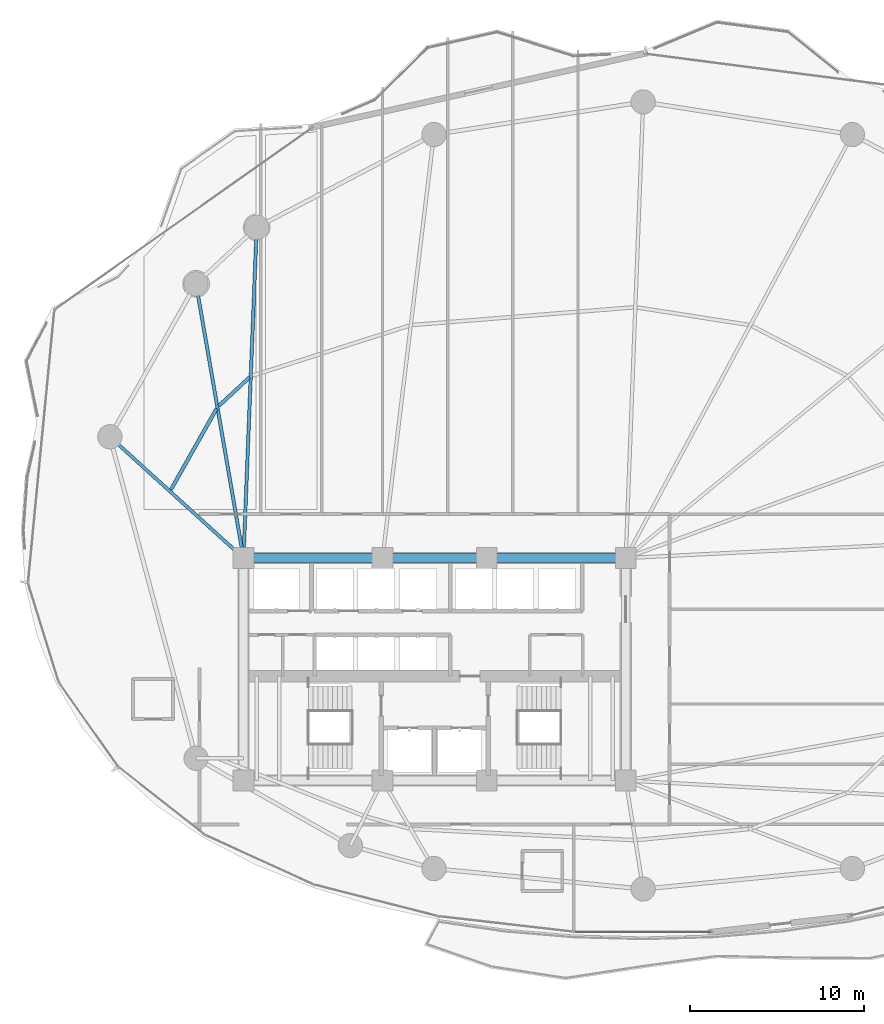
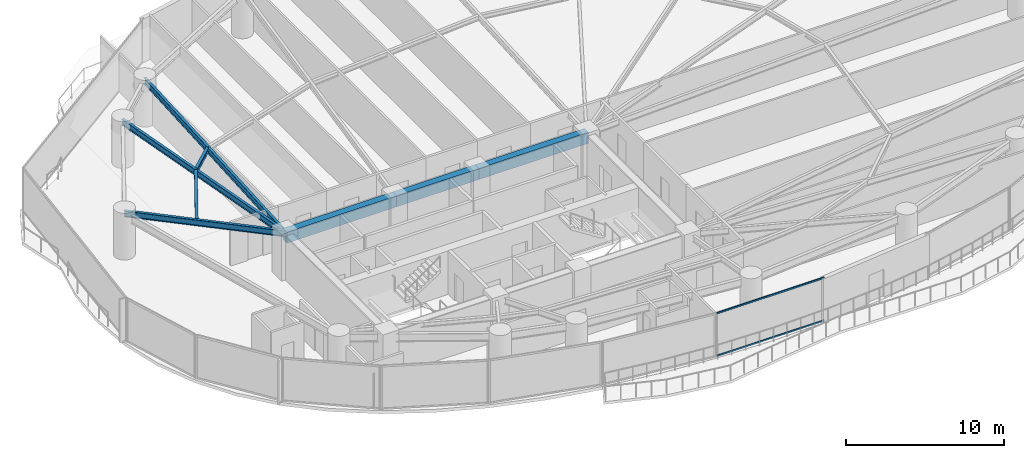
# One storey, part 9 of 31: 8 beams, 2 members, 1 element without a shape of its own.
"""IFC4 building model written with IfcOpenShell, lengths in metres."""

from ifc_helpers import new_model, si_unit, direction, frame, origin, origin_2d, place, context, subcontext, project, spatial, rectangle, hollow_rectangle, i_section, extrude, material, layer, layer_set, material_profile, profile_set, type_object, element, aggregate, save


model = new_model("IFC4")

# Units and contexts
model_context = context("Model", 3, precision=1e-05, world=origin(), true_north=direction((0.0, 1.0)))
body_context = subcontext(model_context, "Body", "Model", "MODEL_VIEW")
ifc_project = project(units=[si_unit("LENGTHUNIT", "METRE"), si_unit("AREAUNIT", "SQUARE_METRE"), si_unit("VOLUMEUNIT", "CUBIC_METRE"), si_unit("PLANEANGLEUNIT", "RADIAN"), si_unit("MASSUNIT", "GRAM", prefix="KILO")], contexts=[model_context])

# Site, building, storey
site_placement = place(None, origin())
site = spatial("IfcSite", under=ifc_project, at=site_placement, CompositionType="ELEMENT")
building_placement = place(site_placement, origin())
building = spatial("IfcBuilding", under=site, at=building_placement, Name="Kazevale Care Tower and Concert Hall", CompositionType="ELEMENT")
storey_placement = place(building_placement, frame((0.0, 0.0, 60.0)))
storey = spatial("IfcBuildingStorey", under=building, at=storey_placement, Name="L15", CompositionType="ELEMENT", Elevation=60.0)

# Curtain wall, members
ifc_material_1 = material(Name="Aluminium 6063-T6 and Low-E Glass", Category="aluminium")
ifc_layer = layer(ifc_material_1, 0.179931640625)
ifc_layer_set = layer_set([ifc_layer], Name="Aluminium 6063-T6 and Low-E Glass")
curtain_wall_type = type_object("IfcCurtainWallType", Name="Sheltered Concave Balcony Curtain Wall CW-5", PredefinedType="NOTDEFINED", material=ifc_layer_set)
curtain_wall_placement = place(storey_placement, origin())
curtain_wall = element("IfcCurtainWall", 1, at=curtain_wall_placement, inside=storey, type_object=curtain_wall_type, Name="cw:L15:f06", PredefinedType="NOTDEFINED")
ifc_material_2 = material(Name="Aluminium 6063-T6", Category="aluminium")
ifc_material_profile_1 = material_profile(ifc_material_2, hollow_rectangle(XDim=0.074951171875, YDim=0.1201171875, WallThickness=0.00390625, at=origin_2d()), Name="ALU75x120x4")
ifc_profile_set_1 = profile_set([ifc_material_profile_1], Name="Aluminium 6063-T6")
member_type = type_object("IfcMemberType", Name="CW-5 Transom ALU75x120x4", PredefinedType="USERDEFINED", material=ifc_profile_set_1)
member_1_placement = place(storey_placement, frame((48.923095703125, 14.889892578125, 0.03759765625), z_axis=(-1.0, 0.0, 0.0), x_axis=(0.0, -1.0, 0.0)))
member_1 = element("IfcMember", 2, at=member_1_placement, type_object=member_type, Name="CW-5 transom 1.1", ObjectType="TRANSOM", PredefinedType="USERDEFINED", context=body_context, shape_type="SweptSolid", body=[
    extrude(hollow_rectangle(XDim=0.074951171875, YDim=0.1201171875, WallThickness=0.00390625, at=origin_2d()), origin(), (0.0, 0.0, 1.0), 7.84619140625),
])
member_2_placement = place(storey_placement, frame((48.923095703125, 14.889892578125, 3.322509765625), z_axis=(-1.0, 0.0, 0.0), x_axis=(0.0, -1.0, 0.0)))
member_2 = element("IfcMember", 3, at=member_2_placement, type_object=member_type, Name="CW-5 transom 1.2", ObjectType="TRANSOM", PredefinedType="USERDEFINED", context=body_context, shape_type="SweptSolid", body=[
    extrude(hollow_rectangle(XDim=0.074951171875, YDim=0.1201171875, WallThickness=0.00390625, at=origin_2d()), origin(), (0.0, 0.0, 1.0), 7.84619140625),
])
aggregate(curtain_wall, [member_1, member_2])

# Beams
ifc_material_3 = material(Name="Concrete C60", Category="concrete")
ifc_material_profile_2 = material_profile(ifc_material_3, rectangle(XDim=0.5, YDim=0.85009765625, at=origin_2d()), Name="RC-B500x850")
ifc_profile_set_2 = profile_set([ifc_material_profile_2], Name="Concrete C60")
beam_type_1 = type_object("IfcBeamType", Name="Core Coupling Beam RC500x850", PredefinedType="LINTEL", material=ifc_profile_set_2)
beam_1_placement = place(storey_placement, frame((44.0, 36.39990234375, 2.93505859375), z_axis=(-1.0, 0.0, 0.0), x_axis=(0.0, -1.0, 0.0)))
element("IfcBeam", 4, at=beam_1_placement, inside=storey, type_object=beam_type_1, Name="beam:L15:coretie:5", PredefinedType="LINTEL", context=body_context, shape_type="SweptSolid", body=[
    extrude(rectangle(XDim=0.5, YDim=0.85009765625, at=origin_2d()), origin(), (0.0, 0.0, 1.0), 8.0),
])
beam_2_placement = place(storey_placement, frame((36.0, 36.39990234375, 2.93505859375), z_axis=(-1.0, 0.0, 0.0), x_axis=(0.0, -1.0, 0.0)))
element("IfcBeam", 5, at=beam_2_placement, inside=storey, type_object=beam_type_1, Name="beam:L15:coretie:6", PredefinedType="LINTEL", context=body_context, shape_type="SweptSolid", body=[
    extrude(rectangle(XDim=0.5, YDim=0.85009765625, at=origin_2d()), origin(), (0.0, 0.0, 1.0), 6.0),
])
beam_3_placement = place(storey_placement, frame((30.0, 36.39990234375, 2.93505859375), z_axis=(-1.0, 0.0, 0.0), x_axis=(0.0, -1.0, 0.0)))
element("IfcBeam", 6, at=beam_3_placement, inside=storey, type_object=beam_type_1, Name="beam:L15:coretie:7", PredefinedType="LINTEL", context=body_context, shape_type="SweptSolid", body=[
    extrude(rectangle(XDim=0.5, YDim=0.85009765625, at=origin_2d()), origin(), (0.0, 0.0, 1.0), 8.0),
])
ifc_material_4 = material(Name="Steel ASTM A572 Gr 50", Category="steel")
ifc_material_profile_3 = material_profile(ifc_material_4, i_section(OverallWidth=0.19091796875, OverallDepth=0.4599609375, WebThickness=0.010009765625, FlangeThickness=0.01611328125, at=origin_2d()), Name="W460x82")
ifc_profile_set_3 = profile_set([ifc_material_profile_3], Name="Steel ASTM A572 Gr 50")
beam_type_2 = type_object("IfcBeamType", Name="Radial Floor Beam W460x82", PredefinedType="BEAM", material=ifc_profile_set_3)
beam_4_placement = place(storey_placement, frame((22.0, 36.39990234375, 3.1298828125), z_axis=(0.039905581428, 0.999203455044, 0.0), x_axis=(-0.999203455044, 0.039905581428, 0.0)))
element("IfcBeam", 7, at=beam_4_placement, inside=storey, type_object=beam_type_2, Name="beam:L15:rad:07", PredefinedType="BEAM", context=body_context, shape_type="SweptSolid", body=[
    extrude(i_section(OverallWidth=0.19091796875, OverallDepth=0.4599609375, WebThickness=0.010009765625, FlangeThickness=0.01611328125, at=origin_2d()), origin(), (0.0, 0.0, 1.0), 19.045166015625),
])
beam_5_placement = place(storey_placement, frame((22.0, 36.39990234375, 3.1298828125), z_axis=(-0.170469986865, 0.985362868987, 0.0), x_axis=(-0.985362868987, -0.170469986865, 0.0)))
element("IfcBeam", 8, at=beam_5_placement, inside=storey, type_object=beam_type_2, Name="beam:L15:rad:08", PredefinedType="BEAM", context=body_context, shape_type="SweptSolid", body=[
    extrude(i_section(OverallWidth=0.19091796875, OverallDepth=0.4599609375, WebThickness=0.010009765625, FlangeThickness=0.01611328125, at=origin_2d()), origin(), (0.0, 0.0, 1.0), 16.014404296875),
])
beam_6_placement = place(storey_placement, frame((22.0, 36.39990234375, 3.1298828125), z_axis=(-0.740461073653, 0.672099247436, 0.0), x_axis=(-0.672099247436, -0.740461073653, 0.0)))
element("IfcBeam", 9, at=beam_6_placement, inside=storey, type_object=beam_type_2, Name="beam:L15:rad:09", PredefinedType="BEAM", context=body_context, shape_type="SweptSolid", body=[
    extrude(i_section(OverallWidth=0.19091796875, OverallDepth=0.4599609375, WebThickness=0.010009765625, FlangeThickness=0.01611328125, at=origin_2d()), origin(), (0.0, 0.0, 1.0), 10.38525390625),
])
ifc_material_profile_4 = material_profile(ifc_material_4, i_section(OverallWidth=0.205078125, OverallDepth=0.35400390625, WebThickness=0.009521484375, FlangeThickness=0.016845703125, at=origin_2d()), Name="W360x79")
ifc_profile_set_4 = profile_set([ifc_material_profile_4], Name="Steel ASTM A572 Gr 50")
beam_type_3 = type_object("IfcBeamType", Name="Secondary Floor Joist W360x79", PredefinedType="JOIST", material=ifc_profile_set_4)
beam_7_placement = place(storey_placement, frame((22.341064453125, 46.794921875, 3.18310546875), z_axis=(-0.73194965424, -0.68135871878, 0.0), x_axis=(0.68135871878, -0.73194965424, 0.0)))
element("IfcBeam", 10, at=beam_7_placement, inside=storey, type_object=beam_type_3, Name="beam:L15:joist:07", PredefinedType="JOIST", context=body_context, shape_type="SweptSolid", body=[
    extrude(i_section(OverallWidth=0.205078125, OverallDepth=0.35400390625, WebThickness=0.009521484375, FlangeThickness=0.016845703125, at=origin_2d()), origin(), (0.0, 0.0, 1.0), 2.412841796875),
])
beam_8_placement = place(storey_placement, frame((20.447021484375, 44.988037109375, 3.18310546875), z_axis=(-0.490956987312, -0.871183813331, 0.0), x_axis=(0.871183813331, -0.490956987312, 0.0)))
element("IfcBeam", 11, at=beam_8_placement, inside=storey, type_object=beam_type_3, Name="beam:L15:joist:08", PredefinedType="JOIST", context=body_context, shape_type="SweptSolid", body=[
    extrude(i_section(OverallWidth=0.205078125, OverallDepth=0.35400390625, WebThickness=0.009521484375, FlangeThickness=0.016845703125, at=origin_2d()), origin(), (0.0, 0.0, 1.0), 5.3466796875),
])

save(model, "model.ifc")
